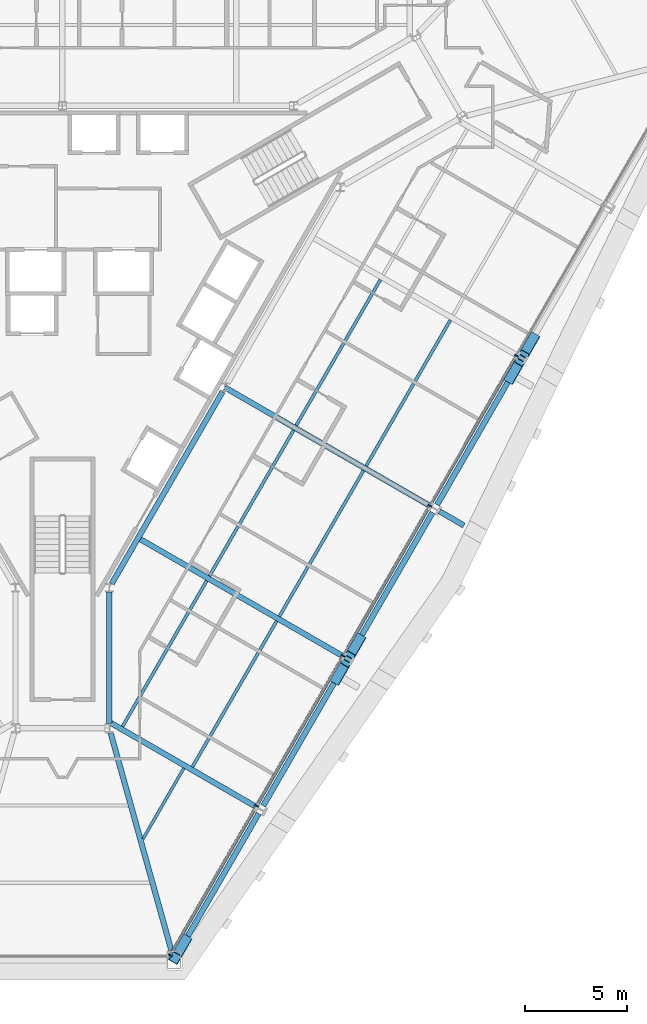
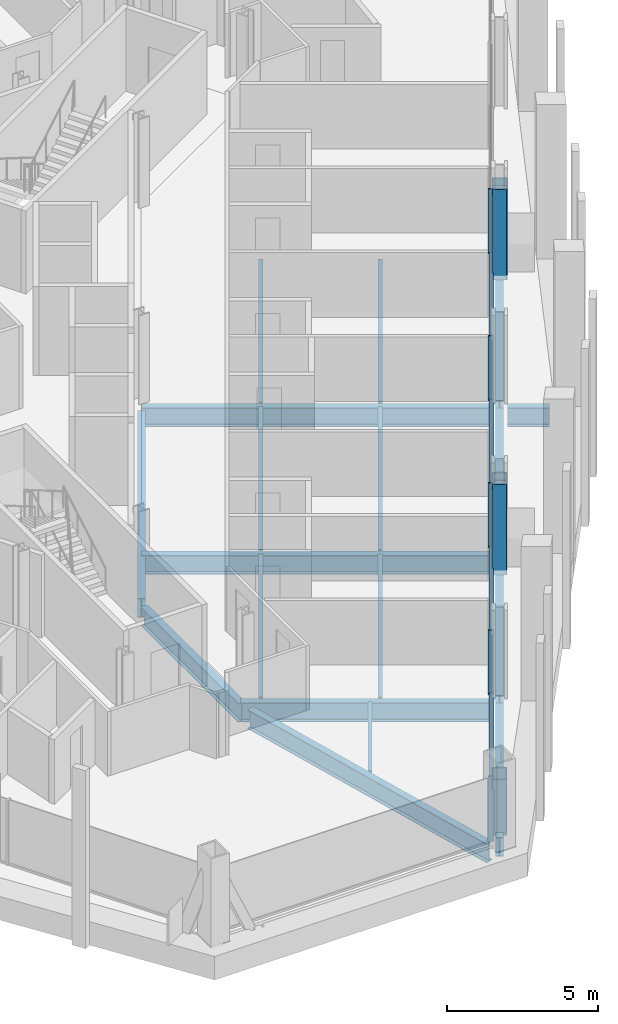
# One storey, part 5 of 19: 18 beams, 14 members, 1 element without a shape of its own.
"""IFC4 building model written with IfcOpenShell, lengths in metres."""

from ifc_helpers import new_model, si_unit, direction, frame, origin, origin_2d, place, context, subcontext, project, spatial, rectangle, hollow_rectangle, i_section, extrude, material, material_profile, profile_set, type_object, element, aggregate, save


model = new_model("IFC4")

# Units and contexts
model_context = context("Model", 3, precision=1e-05, world=origin(), true_north=direction((0.0, 1.0)))
body_context = subcontext(model_context, "Body", "Model", "MODEL_VIEW")
ifc_project = project(units=[si_unit("LENGTHUNIT", "METRE"), si_unit("AREAUNIT", "SQUARE_METRE"), si_unit("VOLUMEUNIT", "CUBIC_METRE"), si_unit("PLANEANGLEUNIT", "RADIAN"), si_unit("MASSUNIT", "GRAM", prefix="KILO")], contexts=[model_context])

# Site, building, storey
site_placement = place(None, origin())
site = spatial("IfcSite", under=ifc_project, at=site_placement, CompositionType="ELEMENT")
building_placement = place(site_placement, origin())
building = spatial("IfcBuilding", under=site, at=building_placement, Name="Verrane Prism Tower", CompositionType="ELEMENT")
storey_placement = place(building_placement, frame((0.0, 0.0, 58.39990234375)))
storey = spatial("IfcBuildingStorey", under=building, at=storey_placement, Name="L12", CompositionType="ELEMENT", Elevation=58.39990234375)

# Beams
ifc_material_1 = material(Name="Steel A992", Category="steel")
ifc_material_profile_1 = material_profile(ifc_material_1, i_section(OverallWidth=0.2666015625, OverallDepth=0.7568359375, WebThickness=0.013916015625, FlangeThickness=0.019287109375, FilletRadius=0.0166015625, at=origin_2d()), Name="W30x108")
ifc_profile_set_1 = profile_set([ifc_material_profile_1], Name="Steel A992")
beam_type_1 = type_object("IfcBeamType", Name="Core ring girder W30x108", PredefinedType="BEAM", material=ifc_profile_set_1)
beam_1_placement = place(storey_placement, frame((2.300048828125, -21.07275390625, -0.62841796875), z_axis=(0.0, 1.0, 0.0), x_axis=(-1.0, 0.0, 0.0)))
element("IfcBeam", 1, at=beam_1_placement, inside=storey, type_object=beam_type_1, Name="Core ring girder L12", PredefinedType="BEAM", context=body_context, shape_type="SweptSolid", body=[
    extrude(i_section(OverallWidth=0.2666015625, OverallDepth=0.7568359375, WebThickness=0.013916015625, FlangeThickness=0.019287109375, FilletRadius=0.0166015625, at=origin_2d()), origin(), (0.0, 0.0, 1.0), 6.4443359375),
])
beam_2_placement = place(storey_placement, frame((2.42041015625, -14.211669921875, -0.62841796875), z_axis=(0.500013103396, 0.866017838403, 0.0), x_axis=(-0.866017838403, 0.500013103396, 0.0)))
element("IfcBeam", 2, at=beam_2_placement, inside=storey, type_object=beam_type_1, Name="Core ring girder L12", PredefinedType="BEAM", context=body_context, shape_type="SweptSolid", body=[
    extrude(i_section(OverallWidth=0.2666015625, OverallDepth=0.7568359375, WebThickness=0.013916015625, FlangeThickness=0.019287109375, FilletRadius=0.0166015625, at=origin_2d()), origin(), (0.0, 0.0, 1.0), 10.858154296875),
])
ifc_material_2 = material(Name="Steel A992", Category="steel")
ifc_material_profile_2 = material_profile(ifc_material_2, i_section(OverallWidth=0.2666015625, OverallDepth=0.76708984375, WebThickness=0.014892578125, FlangeThickness=0.023681640625, FilletRadius=0.0166015625, at=origin_2d()), Name="W30x124")
ifc_profile_set_2 = profile_set([ifc_material_profile_2], Name="Steel A992")
beam_type_2 = type_object("IfcBeamType", Name="Corner girder W30x124", PredefinedType="BEAM", material=ifc_profile_set_2)
beam_3_placement = place(storey_placement, frame((5.344482421875, -32.2099609375, -0.603515625), z_axis=(-0.268799442753, 0.963196168792, 0.0), x_axis=(-0.963196168792, -0.268799442753, 0.0)))
element("IfcBeam", 3, at=beam_3_placement, inside=storey, type_object=beam_type_2, Name="Corner girder L12", PredefinedType="BEAM", context=body_context, shape_type="SweptSolid", body=[
    extrude(i_section(OverallWidth=0.2666015625, OverallDepth=0.76708984375, WebThickness=0.014892578125, FlangeThickness=0.023681640625, FilletRadius=0.0166015625, at=origin_2d()), origin(), (0.0, 0.0, 1.0), 11.0908203125),
])

# Members
ifc_material_3 = material(Name="Steel A1085 Grade A", Category="steel")
ifc_material_profile_3 = material_profile(ifc_material_3, hollow_rectangle(XDim=0.508056640625, YDim=0.508056640625, WallThickness=0.025390625, InnerFilletRadius=0.0126953125, OuterFilletRadius=0.0380859375, at=origin_2d()), Name="HSS20x20x1")
ifc_profile_set_3 = profile_set([ifc_material_profile_3], Name="Steel A1085 Grade A")
member_type_1 = type_object("IfcMemberType", Name="Facade brace HSS20x20x1", PredefinedType="BRACE", material=ifc_profile_set_3)
member_1_placement = place(storey_placement, frame((6.028564453125, -31.693603515625, -0.242431640625), z_axis=(-0.160175702727, -0.277107088051, 0.947394007796), x_axis=(0.865771154116, -0.500440114999, 0.0)))
element("IfcMember", 4, at=member_1_placement, inside=storey, type_object=member_type_1, Name="Facade brace SE0 L12", PredefinedType="BRACE", context=body_context, shape_type="SweptSolid", body=[
    extrude(hollow_rectangle(XDim=0.508056640625, YDim=0.508056640625, WallThickness=0.025390625, InnerFilletRadius=0.0126953125, OuterFilletRadius=0.0380859375, at=origin_2d()), origin(), (0.0, 0.0, 1.0), 3.127685546875),
])
member_2_placement = place(storey_placement, frame((13.431396484375, -18.877685546875, -0.242431640625), z_axis=(0.160158369924, 0.277467351404, 0.947291489167), x_axis=(-0.866076057046, 0.499912255713, 0.0)))
element("IfcMember", 5, at=member_2_placement, inside=storey, type_object=member_type_1, Name="Facade brace SE1 L12", PredefinedType="BRACE", context=body_context, shape_type="SweptSolid", body=[
    extrude(hollow_rectangle(XDim=0.508056640625, YDim=0.508056640625, WallThickness=0.025390625, InnerFilletRadius=0.0126953125, OuterFilletRadius=0.0380859375, at=origin_2d()), origin(), (0.0, 0.0, 1.0), 3.1279296875),
])
member_3_placement = place(storey_placement, frame((14.548583984375, -16.943603515625, -0.242431640625), z_axis=(-0.160175702727, -0.277107088051, 0.947394007796), x_axis=(0.865771154116, -0.500440114999, 0.0)))
element("IfcMember", 6, at=member_3_placement, inside=storey, type_object=member_type_1, Name="Facade brace SE2 L12", PredefinedType="BRACE", context=body_context, shape_type="SweptSolid", body=[
    extrude(hollow_rectangle(XDim=0.508056640625, YDim=0.508056640625, WallThickness=0.025390625, InnerFilletRadius=0.0126953125, OuterFilletRadius=0.0380859375, at=origin_2d()), origin(), (0.0, 0.0, 1.0), 3.127685546875),
])
for number, where, z_axis, x_axis, name in (
    (7, (21.951416015625, -4.127685546875, -0.242431640625), (0.160158369924, 0.277467351404, 0.947291489167), (-0.866076057046, 0.499912255713, 0.0), "Facade brace SE3 L12"),
    (8, (23.067138671875, -2.1923828125, -0.242431640625), (-0.159778095034, -0.277484674083, 0.947350629913), (0.866603290849, -0.498997731749, 0.0), "Facade brace SE4 L12"),
):
    element("IfcMember", number, at=place(storey_placement, frame(where, z_axis=z_axis, x_axis=x_axis)), inside=storey, type_object=member_type_1, Name=name, PredefinedType="BRACE", context=body_context, shape_type="SweptSolid", body=[
        extrude(hollow_rectangle(XDim=0.508056640625, YDim=0.508056640625, WallThickness=0.025390625, InnerFilletRadius=0.0126953125, OuterFilletRadius=0.0380859375, at=origin_2d()), origin(), (0.0, 0.0, 1.0), 3.1279296875),
    ])

# Beams
ifc_material_4 = material(Name="Steel A992", Category="steel")
ifc_material_profile_4 = material_profile(ifc_material_4, i_section(OverallWidth=0.140380859375, OverallDepth=0.40380859375, WebThickness=0.007080078125, FlangeThickness=0.01123046875, FilletRadius=0.01025390625, at=origin_2d()), Name="W16x31")
ifc_profile_set_4 = profile_set([ifc_material_profile_4], Name="Steel A992")
beam_type_3 = type_object("IfcBeamType", Name="Floor beam W16x31", PredefinedType="BEAM", material=ifc_profile_set_4)
beam_4_placement = place(storey_placement, frame((3.950927734375, -26.719970703125, -0.36181640625), z_axis=(0.499997556188, 0.866026814715, 0.0), x_axis=(-0.866026814715, 0.499997556188, 0.0)))
element("IfcBeam", 9, at=beam_4_placement, inside=storey, type_object=beam_type_3, Name="Floor beam L12", PredefinedType="BEAM", context=body_context, shape_type="SweptSolid", body=[
    extrude(i_section(OverallWidth=0.140380859375, OverallDepth=0.40380859375, WebThickness=0.007080078125, FlangeThickness=0.01123046875, FilletRadius=0.01025390625, at=origin_2d()), origin(), (0.0, 0.0, 1.0), 3.99462890625),
])
ifc_material_5 = material(Name="Steel A992", Category="steel")
ifc_material_profile_5 = material_profile(ifc_material_5, i_section(OverallWidth=0.15234375, OverallDepth=0.449462890625, WebThickness=0.007568359375, FlangeThickness=0.0107421875, FilletRadius=0.01025390625, at=origin_2d()), Name="W18x35")
ifc_profile_set_5 = profile_set([ifc_material_profile_5], Name="Steel A992")
beam_type_4 = type_object("IfcBeamType", Name="Floor beam W18x35", PredefinedType="BEAM", material=ifc_profile_set_5)
beam_5_placement = place(storey_placement, frame((6.370361328125, -23.196044921875, -0.384765625), z_axis=(0.499992194788, 0.866029910079, 0.0), x_axis=(-0.866029910079, 0.499992194788, 0.0)))
element("IfcBeam", 10, at=beam_5_placement, inside=storey, type_object=beam_type_4, Name="Floor beam L12", PredefinedType="BEAM", context=body_context, shape_type="SweptSolid", body=[
    extrude(i_section(OverallWidth=0.15234375, OverallDepth=0.449462890625, WebThickness=0.007568359375, FlangeThickness=0.0107421875, FilletRadius=0.01025390625, at=origin_2d()), origin(), (0.0, 0.0, 1.0), 8.252685546875),
])
beam_6_placement = place(storey_placement, frame((2.944091796875, -21.2177734375, -0.384765625), z_axis=(0.499989680267, 0.866031361803, 0.0), x_axis=(-0.866031361803, 0.499989680267, 0.0)))
element("IfcBeam", 11, at=beam_6_placement, inside=storey, type_object=beam_type_4, Name="Floor beam L12", PredefinedType="BEAM", context=body_context, shape_type="SweptSolid", body=[
    extrude(i_section(OverallWidth=0.15234375, OverallDepth=0.449462890625, WebThickness=0.007568359375, FlangeThickness=0.0107421875, FilletRadius=0.01025390625, at=origin_2d()), origin(), (0.0, 0.0, 1.0), 8.251220703125),
])
beam_7_placement = place(storey_placement, frame((10.63232421875, -15.819091796875, -0.384765625), z_axis=(0.499994031393, 0.866028849734, 0.0), x_axis=(-0.866028849734, 0.499994031393, 0.0)))
element("IfcBeam", 12, at=beam_7_placement, inside=storey, type_object=beam_type_4, Name="Floor beam L12", PredefinedType="BEAM", context=body_context, shape_type="SweptSolid", body=[
    extrude(i_section(OverallWidth=0.15234375, OverallDepth=0.449462890625, WebThickness=0.007568359375, FlangeThickness=0.0107421875, FilletRadius=0.01025390625, at=origin_2d()), origin(), (0.0, 0.0, 1.0), 8.24853515625),
])
beam_8_placement = place(storey_placement, frame((7.2041015625, -13.841552734375, -0.384765625), z_axis=(0.499999059579, 0.866025946736, 0.0), x_axis=(-0.866025946736, 0.499999059579, 0.0)))
element("IfcBeam", 13, at=beam_8_placement, inside=storey, type_object=beam_type_4, Name="Floor beam L12", PredefinedType="BEAM", context=body_context, shape_type="SweptSolid", body=[
    extrude(i_section(OverallWidth=0.15234375, OverallDepth=0.449462890625, WebThickness=0.007568359375, FlangeThickness=0.0107421875, FilletRadius=0.01025390625, at=origin_2d()), origin(), (0.0, 0.0, 1.0), 8.25146484375),
])
beam_9_placement = place(storey_placement, frame((14.887451171875, -8.44287109375, -0.384765625), z_axis=(0.499992194788, 0.866029910079, 0.0), x_axis=(-0.866029910079, 0.499992194788, 0.0)))
element("IfcBeam", 14, at=beam_9_placement, inside=storey, type_object=beam_type_4, Name="Floor beam L12", PredefinedType="BEAM", context=body_context, shape_type="SweptSolid", body=[
    extrude(i_section(OverallWidth=0.15234375, OverallDepth=0.449462890625, WebThickness=0.007568359375, FlangeThickness=0.0107421875, FilletRadius=0.01025390625, at=origin_2d()), origin(), (0.0, 0.0, 1.0), 8.252685546875),
])
beam_10_placement = place(storey_placement, frame((11.4580078125, -6.461181640625, -0.384765625), z_axis=(0.500002492643, 0.866023964651, 0.0), x_axis=(-0.866023964651, 0.500002492643, 0.0)))
element("IfcBeam", 15, at=beam_10_placement, inside=storey, type_object=beam_type_4, Name="Floor beam L12", PredefinedType="BEAM", context=body_context, shape_type="SweptSolid", body=[
    extrude(i_section(OverallWidth=0.15234375, OverallDepth=0.449462890625, WebThickness=0.007568359375, FlangeThickness=0.0107421875, FilletRadius=0.01025390625, at=origin_2d()), origin(), (0.0, 0.0, 1.0), 8.2509765625),
])

# Curtain wall, members
ifc_material_6 = material(Name="Aluminium framed insulated glazing", Category="aluminium")
curtain_wall_type = type_object("IfcCurtainWallType", Name="Curtain wall CW-A 8400 module", PredefinedType="NOTDEFINED", material=ifc_material_6)
curtain_wall_placement = place(storey_placement, origin())
curtain_wall = element("IfcCurtainWall", 16, at=curtain_wall_placement, inside=storey, type_object=curtain_wall_type, Name="Glazed curtain wall south-east face L12", PredefinedType="NOTDEFINED")
ifc_material_7 = material(Name="Aluminium alloy 6063-T6", Category="aluminium")
ifc_material_profile_6 = material_profile(ifc_material_7, rectangle(XDim=0.199951171875, YDim=0.070068359375, at=origin_2d()), Name="Mullion 70x200 aluminium")
ifc_profile_set_6 = profile_set([ifc_material_profile_6], Name="Aluminium alloy 6063-T6")
member_type_2 = type_object("IfcMemberType", Name="Mullion 70x200 aluminium", PredefinedType="MULLION", material=ifc_profile_set_6)
member_4_placement = place(storey_placement, frame((5.285400390625, -32.427490234375, 0.0), z_axis=(0.0, 0.0, 1.0), x_axis=(-0.866025694591, 0.499999496308, 0.0)))
member_4 = element("IfcMember", 17, at=member_4_placement, type_object=member_type_2, Name="CW12.6 mullion 1", PredefinedType="MULLION", context=body_context, shape_type="SweptSolid", body=[
    extrude(rectangle(XDim=0.199951171875, YDim=0.070068359375, at=origin_2d()), origin(), (0.0, 0.0, 1.0), 2.613037109375),
])
member_5_placement = place(storey_placement, frame((9.513671875, -25.103515625, 0.0), z_axis=(0.0, 0.0, 1.0), x_axis=(-0.866025694591, 0.499999496308, 0.0)))
member_5 = element("IfcMember", 18, at=member_5_placement, type_object=member_type_2, Name="CW12.6 mullion 2", PredefinedType="MULLION", context=body_context, shape_type="SweptSolid", body=[
    extrude(rectangle(XDim=0.199951171875, YDim=0.070068359375, at=origin_2d()), origin(), (0.0, 0.0, 1.0), 2.613037109375),
])
member_6_placement = place(storey_placement, frame((13.759521484375, -17.74951171875, 0.0), z_axis=(0.0, 0.0, 1.0), x_axis=(-0.866025694591, 0.499999496308, 0.0)))
member_6 = element("IfcMember", 19, at=member_6_placement, type_object=member_type_2, Name="CW12.6 mullion 3", PredefinedType="MULLION", context=body_context, shape_type="SweptSolid", body=[
    extrude(rectangle(XDim=0.199951171875, YDim=0.070068359375, at=origin_2d()), origin(), (0.0, 0.0, 1.0), 2.613037109375),
])
member_7_placement = place(storey_placement, frame((18.005615234375, -10.3955078125, 0.0), z_axis=(0.0, 0.0, 1.0), x_axis=(-0.866025694591, 0.499999496308, 0.0)))
member_7 = element("IfcMember", 20, at=member_7_placement, type_object=member_type_2, Name="CW12.6 mullion 4", PredefinedType="MULLION", context=body_context, shape_type="SweptSolid", body=[
    extrude(rectangle(XDim=0.199951171875, YDim=0.070068359375, at=origin_2d()), origin(), (0.0, 0.0, 1.0), 2.613037109375),
])
member_8_placement = place(storey_placement, frame((22.25146484375, -3.04150390625, 0.0), z_axis=(0.0, 0.0, 1.0), x_axis=(-0.866025694591, 0.499999496308, 0.0)))
member_8 = element("IfcMember", 21, at=member_8_placement, type_object=member_type_2, Name="CW12.6 mullion 5", PredefinedType="MULLION", context=body_context, shape_type="SweptSolid", body=[
    extrude(rectangle(XDim=0.199951171875, YDim=0.070068359375, at=origin_2d()), origin(), (0.0, 0.0, 1.0), 2.613037109375),
])

# Beams
ifc_material_8 = material(Name="Steel A992", Category="steel")
ifc_material_profile_7 = material_profile(ifc_material_8, i_section(OverallWidth=0.2666015625, OverallDepth=0.76708984375, WebThickness=0.014892578125, FlangeThickness=0.023681640625, FilletRadius=0.0166015625, at=origin_2d()), Name="W30x124")
ifc_profile_set_7 = profile_set([ifc_material_profile_7], Name="Steel A992")
beam_type_5 = type_object("IfcBeamType", Name="Radial girder W30x124", PredefinedType="BEAM", material=ifc_profile_set_7)
beam_11_placement = place(storey_placement, frame((9.5, -25.1572265625, -0.603515625), z_axis=(-0.86602078527, 0.500007999416, 0.0), x_axis=(-0.500007999416, -0.86602078527, 0.0)))
element("IfcBeam", 22, at=beam_11_placement, inside=storey, type_object=beam_type_5, Name="Radial girder L12", PredefinedType="BEAM", context=body_context, shape_type="SweptSolid", body=[
    extrude(i_section(OverallWidth=0.2666015625, OverallDepth=0.76708984375, WebThickness=0.014892578125, FlangeThickness=0.023681640625, FilletRadius=0.0166015625, at=origin_2d()), origin(), (0.0, 0.0, 1.0), 8.313720703125),
])
beam_12_placement = place(storey_placement, frame((13.760009765625, -17.77734375, -0.603515625), z_axis=(-0.86601774804, 0.500013259905, 0.0), x_axis=(-0.500013259905, -0.86601774804, 0.0)))
element("IfcBeam", 23, at=beam_12_placement, inside=storey, type_object=beam_type_5, Name="Radial girder L12", PredefinedType="BEAM", context=body_context, shape_type="SweptSolid", body=[
    extrude(i_section(OverallWidth=0.2666015625, OverallDepth=0.76708984375, WebThickness=0.014892578125, FlangeThickness=0.023681640625, FilletRadius=0.0166015625, at=origin_2d()), origin(), (0.0, 0.0, 1.0), 11.603271484375),
])
beam_13_placement = place(storey_placement, frame((18.02001953125, -10.4072265625, -0.603515625), z_axis=(-0.866018505729, 0.500011947592, 0.0), x_axis=(-0.500011947592, -0.866018505729, 0.0)))
element("IfcBeam", 24, at=beam_13_placement, inside=storey, type_object=beam_type_5, Name="Radial girder L12", PredefinedType="BEAM", context=body_context, shape_type="SweptSolid", body=[
    extrude(i_section(OverallWidth=0.2666015625, OverallDepth=0.76708984375, WebThickness=0.014892578125, FlangeThickness=0.023681640625, FilletRadius=0.0166015625, at=origin_2d()), origin(), (0.0, 0.0, 1.0), 11.607177734375),
])
beam_14_placement = place(storey_placement, frame((18.476318359375, -10.670654296875, -0.603515625), z_axis=(0.866047903128, -0.499961027969, 0.0), x_axis=(0.499961027969, 0.866047903128, 0.0)))
element("IfcBeam", 25, at=beam_14_placement, inside=storey, type_object=beam_type_5, Name="Cantilever girder L12", PredefinedType="BEAM", context=body_context, shape_type="SweptSolid", body=[
    extrude(i_section(OverallWidth=0.2666015625, OverallDepth=0.76708984375, WebThickness=0.014892578125, FlangeThickness=0.023681640625, FilletRadius=0.0166015625, at=origin_2d()), origin(), (0.0, 0.0, 1.0), 1.3876953125),
])
ifc_material_9 = material(Name="Steel A992", Category="steel")
ifc_material_profile_8 = material_profile(ifc_material_9, i_section(OverallWidth=0.2666015625, OverallDepth=0.7568359375, WebThickness=0.013916015625, FlangeThickness=0.019287109375, FilletRadius=0.0166015625, at=origin_2d()), Name="W30x108")
ifc_profile_set_8 = profile_set([ifc_material_profile_8], Name="Steel A992")
beam_type_6 = type_object("IfcBeamType", Name="Spandrel beam W30x108", PredefinedType="SPANDREL", material=ifc_profile_set_8)
beam_15_placement = place(storey_placement, frame((5.72998046875, -32.2099609375, -0.538330078125), z_axis=(0.500439305817, 0.865771621846, 0.0), x_axis=(-0.865771621846, 0.500439305817, 0.0)))
element("IfcBeam", 26, at=beam_15_placement, inside=storey, type_object=beam_type_6, Name="Spandrel beam L12", PredefinedType="SPANDREL", context=body_context, shape_type="SweptSolid", body=[
    extrude(i_section(OverallWidth=0.2666015625, OverallDepth=0.7568359375, WebThickness=0.013916015625, FlangeThickness=0.019287109375, FilletRadius=0.0166015625, at=origin_2d()), origin(), (0.0, 0.0, 1.0), 7.77197265625),
])
beam_16_placement = place(storey_placement, frame((9.840576171875, -25.0986328125, -0.538330078125), z_axis=(0.499899459246, 0.866083443235, 0.0), x_axis=(-0.866083443235, 0.499899459246, 0.0)))
element("IfcBeam", 27, at=beam_16_placement, inside=storey, type_object=beam_type_6, Name="Spandrel beam L12", PredefinedType="SPANDREL", context=body_context, shape_type="SweptSolid", body=[
    extrude(i_section(OverallWidth=0.2666015625, OverallDepth=0.7568359375, WebThickness=0.013916015625, FlangeThickness=0.019287109375, FilletRadius=0.0166015625, at=origin_2d()), origin(), (0.0, 0.0, 1.0), 8.079345703125),
])
beam_17_placement = place(storey_placement, frame((14.1005859375, -17.71875, -0.538330078125), z_axis=(0.500423240289, 0.865780907955, 0.0), x_axis=(-0.865780907955, 0.500423240289, 0.0)))
element("IfcBeam", 28, at=beam_17_placement, inside=storey, type_object=beam_type_6, Name="Spandrel beam L12", PredefinedType="SPANDREL", context=body_context, shape_type="SweptSolid", body=[
    extrude(i_section(OverallWidth=0.2666015625, OverallDepth=0.7568359375, WebThickness=0.013916015625, FlangeThickness=0.019287109375, FilletRadius=0.0166015625, at=origin_2d()), origin(), (0.0, 0.0, 1.0), 8.07080078125),
])
beam_18_placement = place(storey_placement, frame((18.360595703125, -10.3486328125, -0.538330078125), z_axis=(0.499899459246, 0.866083443235, 0.0), x_axis=(-0.866083443235, 0.499899459246, 0.0)))
element("IfcBeam", 29, at=beam_18_placement, inside=storey, type_object=beam_type_6, Name="Spandrel beam L12", PredefinedType="SPANDREL", context=body_context, shape_type="SweptSolid", body=[
    extrude(i_section(OverallWidth=0.2666015625, OverallDepth=0.7568359375, WebThickness=0.013916015625, FlangeThickness=0.019287109375, FilletRadius=0.0166015625, at=origin_2d()), origin(), (0.0, 0.0, 1.0), 8.079345703125),
])

# Member
ifc_material_10 = material(Name="Aluminium alloy 6063-T6", Category="aluminium")
ifc_material_profile_9 = material_profile(ifc_material_10, rectangle(XDim=0.14990234375, YDim=0.070068359375, at=origin_2d()), Name="Transom 70x150 aluminium")
ifc_profile_set_9 = profile_set([ifc_material_profile_9], Name="Aluminium alloy 6063-T6")
member_type_3 = type_object("IfcMemberType", Name="Transom 70x150 aluminium", PredefinedType="USERDEFINED", material=ifc_profile_set_9)
member_9_placement = place(storey_placement, frame((5.302978515625, -32.39697265625, 0.03515625), z_axis=(0.500008882625, 0.866020275338, 0.0), x_axis=(-0.866020275338, 0.500008882625, 0.0)))
member_9 = element("IfcMember", 30, at=member_9_placement, type_object=member_type_3, Name="CW12.6 transom 1", ObjectType="TRANSOM", PredefinedType="USERDEFINED", context=body_context, shape_type="SweptSolid", body=[
    extrude(rectangle(XDim=0.14990234375, YDim=0.070068359375, at=origin_2d()), origin(), (0.0, 0.0, 1.0), 8.386474609375),
])

member_10_placement = place(storey_placement, frame((9.53125, -25.0732421875, 0.03515625), z_axis=(0.500005175824, 0.866022415501, 0.0), x_axis=(-0.866022415501, 0.500005175824, 0.0)))
member_10 = element("IfcMember", 31, at=member_10_placement, type_object=member_type_3, Name="CW12.6 transom 2", ObjectType="TRANSOM", PredefinedType="USERDEFINED", context=body_context, shape_type="SweptSolid", body=[
    extrude(rectangle(XDim=0.14990234375, YDim=0.070068359375, at=origin_2d()), origin(), (0.0, 0.0, 1.0), 8.421875),
])

member_11_placement = place(storey_placement, frame((13.777099609375, -17.71923828125, 0.03515625), z_axis=(0.500005175824, 0.866022415501, 0.0), x_axis=(-0.866022415501, 0.500005175824, 0.0)))
member_11 = element("IfcMember", 32, at=member_11_placement, type_object=member_type_3, Name="CW12.6 transom 3", ObjectType="TRANSOM", PredefinedType="USERDEFINED", context=body_context, shape_type="SweptSolid", body=[
    extrude(rectangle(XDim=0.14990234375, YDim=0.070068359375, at=origin_2d()), origin(), (0.0, 0.0, 1.0), 8.421875),
])

member_12_placement = place(storey_placement, frame((18.02294921875, -10.365234375, 0.03515625), z_axis=(0.500005175824, 0.866022415501, 0.0), x_axis=(-0.866022415501, 0.500005175824, 0.0)))
member_12 = element("IfcMember", 33, at=member_12_placement, type_object=member_type_3, Name="CW12.6 transom 4", ObjectType="TRANSOM", PredefinedType="USERDEFINED", context=body_context, shape_type="SweptSolid", body=[
    extrude(rectangle(XDim=0.14990234375, YDim=0.070068359375, at=origin_2d()), origin(), (0.0, 0.0, 1.0), 8.421875),
])

aggregate(curtain_wall, [member_4, member_5, member_6, member_7, member_8, member_9, member_10, member_11, member_12])

save(model, "model.ifc")
